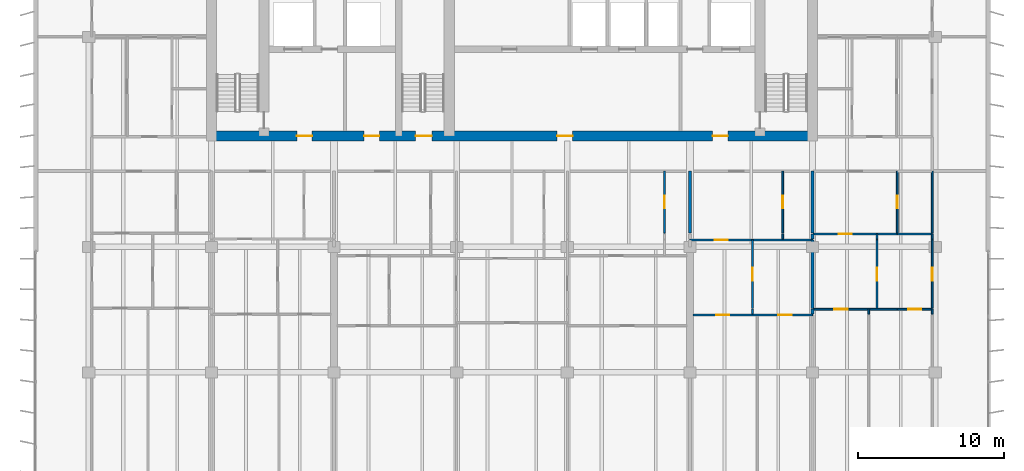
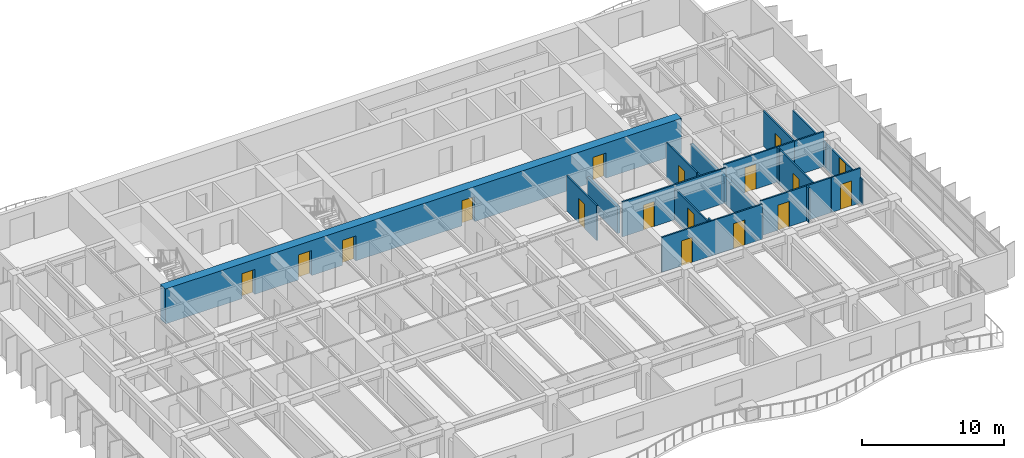
# One storey, part 11 of 18: 25 walls, 17 doors, 17 openings.
"""IFC4 building model written with IfcOpenShell, lengths in metres."""

from ifc_helpers import new_model, si_unit, direction, frame, frame_2d, origin, place, context, subcontext, project, spatial, rectangle, extrude, material, layer, layer_set, type_object, element, fill, save


model = new_model("IFC4")

# Units and contexts
model_context = context("Model", 3, precision=1e-05, world=origin(), true_north=direction((0.0, 1.0)))
body_context = subcontext(model_context, "Body", "Model", "MODEL_VIEW")
ifc_project = project(units=[si_unit("LENGTHUNIT", "METRE"), si_unit("AREAUNIT", "SQUARE_METRE"), si_unit("VOLUMEUNIT", "CUBIC_METRE"), si_unit("PLANEANGLEUNIT", "RADIAN"), si_unit("MASSUNIT", "GRAM", prefix="KILO")], contexts=[model_context])

# Site, building, storey
site_placement = place(None, origin())
site = spatial("IfcSite", under=ifc_project, at=site_placement, CompositionType="ELEMENT")
building_placement = place(site_placement, origin())
building = spatial("IfcBuilding", under=site, at=building_placement, Name="Caelmar Bay Residences", CompositionType="ELEMENT")
storey_placement = place(building_placement, frame((0.0, 0.0, 180.300048828125)))
storey = spatial("IfcBuildingStorey", under=building, at=storey_placement, Name="L50", CompositionType="ELEMENT", Elevation=180.300048828125)

# Wall, openings, doors
ifc_material_1 = material(Name="Concrete f'c 55 MPa (8,000 psi)", Category="concrete")
ifc_layer_1 = layer(ifc_material_1, 0.699951171875)
ifc_layer_set_1 = layer_set([ifc_layer_1], Name="Concrete f'c 55 MPa (8,000 psi)")
wall_type_1 = type_object("IfcWallType", Name="SW-COR-700", PredefinedType="SHEAR", material=ifc_layer_set_1)
wall_1_placement = place(storey_placement, frame((17.949951171875, 37.0, 0.0), z_axis=(0.0, 0.0, 1.0), x_axis=(1.0, 0.0, 0.0)))
wall_1 = element("IfcWall", 1, at=wall_1_placement, inside=storey, type_object=wall_type_1, Name="L50 Rear Core South Shear Wall", PredefinedType="SHEAR", context=body_context, shape_type="SweptSolid", body=[
    extrude(rectangle(XDim=41.900146484375, YDim=0.699951171875, at=frame_2d((20.9501953125, 0.0))), origin(), (0.0, 0.0, 1.0), 3.0),
])
opening_1_placement = place(wall_1_placement, frame((14.35009765625, 0.0, 0.0)))
opening_1 = element("IfcOpeningElement", 2, at=opening_1_placement, cuts=wall_1, Name="Opening D-L50-105", PredefinedType="OPENING", context=body_context, shape_type="SweptSolid", body=[
    extrude(rectangle(XDim=1.10009765625, YDim=2.14990234375, at=frame_2d((0.550048828125, 1.074951171875))), frame((0.0, 0.35986328125, 0.0), z_axis=(0.0, -1.0, 0.0), x_axis=(1.0, 0.0, 0.0)), (0.0, 0.0, 1.0), 0.719970703125),
])
opening_2_placement = place(wall_1_placement, frame((6.199951171875, 0.0, 0.0)))
opening_2 = element("IfcOpeningElement", 3, at=opening_2_placement, cuts=wall_1, Name="Opening D-L50-106", PredefinedType="OPENING", context=body_context, shape_type="SweptSolid", body=[
    extrude(rectangle(XDim=1.050048828125, YDim=2.14990234375, at=frame_2d((0.52490234375, 1.074951171875))), frame((0.0, 0.35986328125, 0.0), z_axis=(0.0, -1.0, 0.0), x_axis=(1.0, 0.0, 0.0)), (0.0, 0.0, 1.0), 0.719970703125),
])
opening_3_placement = place(wall_1_placement, frame((34.699951171875, 0.0, 0.0)))
opening_3 = element("IfcOpeningElement", 4, at=opening_3_placement, cuts=wall_1, Name="Opening D-L50-109", PredefinedType="OPENING", context=body_context, shape_type="SweptSolid", body=[
    extrude(rectangle(XDim=1.050048828125, YDim=2.14990234375, at=frame_2d((0.52490234375, 1.074951171875))), frame((0.0, 0.35986328125, 0.0), z_axis=(0.0, -1.0, 0.0), x_axis=(1.0, 0.0, 0.0)), (0.0, 0.0, 1.0), 0.719970703125),
])
opening_4_placement = place(wall_1_placement, frame((10.8125, 0.0, 0.0)))
opening_4 = element("IfcOpeningElement", 5, at=opening_4_placement, cuts=wall_1, Name="Opening D-L50-112", PredefinedType="OPENING", context=body_context, shape_type="SweptSolid", body=[
    extrude(rectangle(XDim=1.050048828125, YDim=2.14990234375, at=frame_2d((0.52490234375, 1.074951171875))), frame((0.0, 0.35986328125, 0.0), z_axis=(0.0, -1.0, 0.0), x_axis=(1.0, 0.0, 0.0)), (0.0, 0.0, 1.0), 0.719970703125),
])
opening_5_placement = place(wall_1_placement, frame((24.050048828125, 0.0, 0.0)))
opening_5 = element("IfcOpeningElement", 6, at=opening_5_placement, cuts=wall_1, Name="Opening D-L50-113", PredefinedType="OPENING", context=body_context, shape_type="SweptSolid", body=[
    extrude(rectangle(XDim=1.050048828125, YDim=2.14990234375, at=frame_2d((0.52490234375, 1.074951171875))), frame((0.0, 0.35986328125, 0.0), z_axis=(0.0, -1.0, 0.0), x_axis=(1.0, 0.0, 0.0)), (0.0, 0.0, 1.0), 0.719970703125),
])
ifc_material_2 = material(Name="Fire-rated steel and walnut architectural door assembly", Category="steel")
ifc_layer_2 = layer(ifc_material_2, 0.050048828125)
ifc_layer_set_2 = layer_set([ifc_layer_2], Name="Fire-rated steel and walnut architectural door assembly")
door_type_1 = type_object("IfcDoorType", Name="D-FSAE-1050", OperationType="NOTDEFINED", PredefinedType="DOOR", material=ifc_layer_set_2)
door_1_placement = place(opening_2_placement, origin())
door_1 = element("IfcDoor", 7, at=door_1_placement, inside=storey, type_object=door_type_1, Name="L50 Firefighting Lobby West Door", OperationType="SINGLE_SWING_LEFT", OverallHeight=2.14990234375, OverallWidth=1.050048828125, PredefinedType="DOOR", context=body_context, shape_type="SweptSolid", body=[
    extrude(rectangle(XDim=1.050048828125, YDim=2.14990234375, at=frame_2d((0.52490234375, 1.074951171875))), frame((0.0, 0.02490234375, 0.0), z_axis=(0.0, -1.0, 0.0), x_axis=(1.0, 0.0, 0.0)), (0.0, 0.0, 1.0), 0.050048828125),
])
fill(opening_2, door_1)
door_2_placement = place(opening_3_placement, origin())
door_2 = element("IfcDoor", 8, at=door_2_placement, inside=storey, type_object=door_type_1, Name="L50 Firefighting Lobby East Door", OperationType="SINGLE_SWING_RIGHT", OverallHeight=2.14990234375, OverallWidth=1.050048828125, PredefinedType="DOOR", context=body_context, shape_type="SweptSolid", body=[
    extrude(rectangle(XDim=1.050048828125, YDim=2.14990234375, at=frame_2d((0.52490234375, 1.074951171875))), frame((0.0, 0.02490234375, 0.0), z_axis=(0.0, -1.0, 0.0), x_axis=(1.0, 0.0, 0.0)), (0.0, 0.0, 1.0), 0.050048828125),
])
fill(opening_3, door_2)
door_3_placement = place(opening_4_placement, origin())
door_3 = element("IfcDoor", 9, at=door_3_placement, inside=storey, type_object=door_type_1, Name="L50 West Lift Lobby Door", OperationType="SINGLE_SWING_LEFT", OverallHeight=2.14990234375, OverallWidth=1.050048828125, PredefinedType="DOOR", context=body_context, shape_type="SweptSolid", body=[
    extrude(rectangle(XDim=1.050048828125, YDim=2.14990234375, at=frame_2d((0.52490234375, 1.074951171875))), frame((0.0, 0.02490234375, 0.0), z_axis=(0.0, -1.0, 0.0), x_axis=(1.0, 0.0, 0.0)), (0.0, 0.0, 1.0), 0.050048828125),
])
fill(opening_4, door_3)
door_4_placement = place(opening_5_placement, origin())
door_4 = element("IfcDoor", 10, at=door_4_placement, inside=storey, type_object=door_type_1, Name="L50 Passenger Lift Lobby Door", OperationType="SINGLE_SWING_RIGHT", OverallHeight=2.14990234375, OverallWidth=1.050048828125, PredefinedType="DOOR", context=body_context, shape_type="SweptSolid", body=[
    extrude(rectangle(XDim=1.050048828125, YDim=2.14990234375, at=frame_2d((0.52490234375, 1.074951171875))), frame((0.0, 0.02490234375, 0.0), z_axis=(0.0, -1.0, 0.0), x_axis=(1.0, 0.0, 0.0)), (0.0, 0.0, 1.0), 0.050048828125),
])
fill(opening_5, door_4)
ifc_layer_3 = layer(ifc_material_2, 0.050048828125)
ifc_layer_set_3 = layer_set([ifc_layer_3], Name="Fire-rated steel and walnut architectural door assembly")
door_type_2 = type_object("IfcDoorType", Name="D-STAIR-1100", OperationType="NOTDEFINED", PredefinedType="DOOR", material=ifc_layer_set_3)
door_5_placement = place(opening_1_placement, origin())
door_5 = element("IfcDoor", 11, at=door_5_placement, inside=storey, type_object=door_type_2, Name="L50 Exit Stair ST3 Door", OperationType="SINGLE_SWING_RIGHT", OverallHeight=2.14990234375, OverallWidth=1.10009765625, PredefinedType="DOOR", context=body_context, shape_type="SweptSolid", body=[
    extrude(rectangle(XDim=1.10009765625, YDim=2.14990234375, at=frame_2d((0.550048828125, 1.074951171875))), frame((0.0, 0.02490234375, 0.0), z_axis=(0.0, -1.0, 0.0), x_axis=(1.0, 0.0, 0.0)), (0.0, 0.0, 1.0), 0.050048828125),
])
fill(opening_1, door_5)

# Wall, opening, door
ifc_material_3 = material(Name="Acoustic metal-stud gypsum partition 120 mm")
ifc_layer_4 = layer(ifc_material_3, 0.1201171875)
ifc_layer_set_4 = layer_set([ifc_layer_4], Name="Acoustic metal-stud gypsum partition 120 mm")
wall_type_2 = type_object("IfcWallType", Name="W-PRT-120", PredefinedType="PARTITIONING", material=ifc_layer_set_4)
wall_2_placement = place(storey_placement, frame((49.35888671875, 30.340087890625, 0.0), z_axis=(0.0, 0.0, 1.0), x_axis=(0.0, 1.0, 0.0)))
wall_2 = element("IfcWall", 12, at=wall_2_placement, inside=storey, type_object=wall_type_2, Name="L50 Partition Wall V067", PredefinedType="PARTITIONING", context=body_context, shape_type="SweptSolid", body=[
    extrude(rectangle(XDim=4.260009765625, YDim=0.1201171875, at=frame_2d((2.1298828125, 0.0))), origin(), (0.0, 0.0, 1.0), 3.0),
])
opening_6_placement = place(wall_2_placement, frame((1.705078125, 0.0, 0.0)))
opening_6 = element("IfcOpeningElement", 13, at=opening_6_placement, cuts=wall_2, Name="Opening D-L50-147", PredefinedType="OPENING", context=body_context, shape_type="SweptSolid", body=[
    extrude(rectangle(XDim=0.85009765625, YDim=2.10009765625, at=frame_2d((0.425048828125, 1.050048828125))), frame((0.0, 0.070068359375, 0.0), z_axis=(0.0, -1.0, 0.0), x_axis=(1.0, 0.0, 0.0)), (0.0, 0.0, 1.0), 0.14013671875),
])
ifc_material_4 = material(Name="Solid walnut timber interior door leaf and frame", Category="wood")
ifc_layer_5 = layer(ifc_material_4, 0.050048828125)
ifc_layer_set_5 = layer_set([ifc_layer_5], Name="Solid walnut timber interior door leaf and frame")
door_type_3 = type_object("IfcDoorType", Name="D-BATH-850", OperationType="NOTDEFINED", PredefinedType="DOOR", material=ifc_layer_set_5)
door_6_placement = place(opening_6_placement, origin())
door_6 = element("IfcDoor", 14, at=door_6_placement, inside=storey, type_object=door_type_3, Name="L50 Residence 03 En-Suite Bathroom 2 Door", OperationType="SINGLE_SWING_RIGHT", OverallHeight=2.10009765625, OverallWidth=0.85009765625, PredefinedType="DOOR", context=body_context, shape_type="SweptSolid", body=[
    extrude(rectangle(XDim=0.85009765625, YDim=2.10009765625, at=frame_2d((0.425048828125, 1.050048828125))), frame((0.0, 0.02490234375, 0.0), z_axis=(0.0, -1.0, 0.0), x_axis=(1.0, 0.0, 0.0)), (0.0, 0.0, 1.0), 0.050048828125),
])
fill(opening_6, door_6)

# Wall
wall_3_placement = place(storey_placement, frame((55.385986328125, 24.7900390625, 0.0), z_axis=(0.0, 0.0, 1.0), x_axis=(0.0, 1.0, 0.0)))
element("IfcWall", 15, at=wall_3_placement, inside=storey, type_object=wall_type_2, Name="L50 Partition Wall V077", PredefinedType="PARTITIONING", context=body_context, shape_type="SweptSolid", body=[
    extrude(rectangle(XDim=0.33984375, YDim=0.1201171875, at=frame_2d((0.169921875, 0.0))), origin(), (0.0, 0.0, 1.0), 3.0),
])

# Wall, opening, door
wall_4_placement = place(storey_placement, frame((55.385986328125, 25.18994140625, 0.0), z_axis=(0.0, 0.0, 1.0), x_axis=(0.0, 1.0, 0.0)))
wall_4 = element("IfcWall", 16, at=wall_4_placement, inside=storey, type_object=wall_type_2, Name="L50 Partition Wall V078", PredefinedType="PARTITIONING", context=body_context, shape_type="SweptSolid", body=[
    extrude(rectangle(XDim=4.68994140625, YDim=0.1201171875, at=frame_2d((2.344970703125, 0.0))), origin(), (0.0, 0.0, 1.0), 2.675048828125),
])
opening_7_placement = place(wall_4_placement, frame((1.89501953125, 0.0, 0.0)))
opening_7 = element("IfcOpeningElement", 17, at=opening_7_placement, cuts=wall_4, Name="Opening D-L50-153", PredefinedType="OPENING", context=body_context, shape_type="SweptSolid", body=[
    extrude(rectangle(XDim=0.89990234375, YDim=2.14990234375, at=frame_2d((0.449951171875, 1.074951171875))), frame((0.0, 0.070068359375, 0.0), z_axis=(0.0, -1.0, 0.0), x_axis=(1.0, 0.0, 0.0)), (0.0, 0.0, 1.0), 0.14013671875),
])
ifc_layer_6 = layer(ifc_material_4, 0.050048828125)
ifc_layer_set_6 = layer_set([ifc_layer_6], Name="Solid walnut timber interior door leaf and frame")
door_type_4 = type_object("IfcDoorType", Name="D-ROOM-900", OperationType="NOTDEFINED", PredefinedType="DOOR", material=ifc_layer_set_6)
door_7_placement = place(opening_7_placement, origin())
door_7 = element("IfcDoor", 18, at=door_7_placement, inside=storey, type_object=door_type_4, Name="L50 Residence 04 Formal Dining Room Door", OperationType="SINGLE_SWING_RIGHT", OverallHeight=2.14990234375, OverallWidth=0.89990234375, PredefinedType="DOOR", context=body_context, shape_type="SweptSolid", body=[
    extrude(rectangle(XDim=0.89990234375, YDim=2.14990234375, at=frame_2d((0.449951171875, 1.074951171875))), frame((0.0, 0.02490234375, 0.0), z_axis=(0.0, -1.0, 0.0), x_axis=(1.0, 0.0, 0.0)), (0.0, 0.0, 1.0), 0.050048828125),
])
fill(opening_7, door_7)

# Wall
wall_5_placement = place(storey_placement, frame((57.466064453125, 29.93994140625, 0.0), z_axis=(0.0, 0.0, 1.0), x_axis=(0.0, 1.0, 0.0)))
element("IfcWall", 19, at=wall_5_placement, inside=storey, type_object=wall_type_2, Name="L50 Partition Wall V082", PredefinedType="PARTITIONING", context=body_context, shape_type="SweptSolid", body=[
    extrude(rectangle(XDim=0.340087890625, YDim=0.1201171875, at=frame_2d((0.169921875, 0.0))), origin(), (0.0, 0.0, 1.0), 3.0),
])

# Wall, opening, door
wall_6_placement = place(storey_placement, frame((57.466064453125, 30.340087890625, 0.0), z_axis=(0.0, 0.0, 1.0), x_axis=(0.0, 1.0, 0.0)))
wall_6 = element("IfcWall", 20, at=wall_6_placement, inside=storey, type_object=wall_type_2, Name="L50 Partition Wall V083", PredefinedType="PARTITIONING", context=body_context, shape_type="SweptSolid", body=[
    extrude(rectangle(XDim=4.260009765625, YDim=0.1201171875, at=frame_2d((2.1298828125, 0.0))), origin(), (0.0, 0.0, 1.0), 3.0),
])
opening_8_placement = place(wall_6_placement, frame((1.705078125, 0.0, 0.0)))
opening_8 = element("IfcOpeningElement", 21, at=opening_8_placement, cuts=wall_6, Name="Opening D-L50-151", PredefinedType="OPENING", context=body_context, shape_type="SweptSolid", body=[
    extrude(rectangle(XDim=0.85009765625, YDim=2.10009765625, at=frame_2d((0.425048828125, 1.050048828125))), frame((0.0, 0.070068359375, 0.0), z_axis=(0.0, -1.0, 0.0), x_axis=(1.0, 0.0, 0.0)), (0.0, 0.0, 1.0), 0.14013671875),
])
door_8_placement = place(opening_8_placement, origin())
door_8 = element("IfcDoor", 22, at=door_8_placement, inside=storey, type_object=door_type_3, Name="L50 Residence 04 Bathroom Door", OperationType="SINGLE_SWING_RIGHT", OverallHeight=2.10009765625, OverallWidth=0.85009765625, PredefinedType="DOOR", context=body_context, shape_type="SweptSolid", body=[
    extrude(rectangle(XDim=0.85009765625, YDim=2.10009765625, at=frame_2d((0.425048828125, 1.050048828125))), frame((0.0, 0.02490234375, 0.0), z_axis=(0.0, -1.0, 0.0), x_axis=(1.0, 0.0, 0.0)), (0.0, 0.0, 1.0), 0.050048828125),
])
fill(opening_8, door_8)

# Wall
wall_7_placement = place(storey_placement, frame((63.35400390625, 24.7900390625, 0.0), z_axis=(0.0, 0.0, 1.0), x_axis=(0.0, 1.0, 0.0)))
element("IfcWall", 23, at=wall_7_placement, inside=storey, type_object=wall_type_2, Name="L50 Partition Wall V093", PredefinedType="PARTITIONING", context=body_context, shape_type="SweptSolid", body=[
    extrude(rectangle(XDim=0.33984375, YDim=0.1201171875, at=frame_2d((0.169921875, 0.0))), origin(), (0.0, 0.0, 1.0), 3.0),
])

# Wall, opening, door
wall_8_placement = place(storey_placement, frame((63.927978515625, 25.18994140625, 0.0), z_axis=(0.0, 0.0, 1.0), x_axis=(0.0, 1.0, 0.0)))
wall_8 = element("IfcWall", 24, at=wall_8_placement, inside=storey, type_object=wall_type_2, Name="L50 Partition Wall V094", PredefinedType="PARTITIONING", context=body_context, shape_type="SweptSolid", body=[
    extrude(rectangle(XDim=4.68994140625, YDim=0.1201171875, at=frame_2d((2.344970703125, 0.0))), origin(), (0.0, 0.0, 1.0), 3.0),
])
opening_9_placement = place(wall_8_placement, frame((1.89501953125, 0.0, 0.0)))
opening_9 = element("IfcOpeningElement", 25, at=opening_9_placement, cuts=wall_8, Name="Opening D-L50-160", PredefinedType="OPENING", context=body_context, shape_type="SweptSolid", body=[
    extrude(rectangle(XDim=0.89990234375, YDim=2.14990234375, at=frame_2d((0.449951171875, 1.074951171875))), frame((0.0, 0.070068359375, 0.0), z_axis=(0.0, -1.0, 0.0), x_axis=(1.0, 0.0, 0.0)), (0.0, 0.0, 1.0), 0.14013671875),
])
door_9_placement = place(opening_9_placement, origin())
door_9 = element("IfcDoor", 26, at=door_9_placement, inside=storey, type_object=door_type_4, Name="L50 Residence 05 Formal Dining Room Door", OperationType="SINGLE_SWING_LEFT", OverallHeight=2.14990234375, OverallWidth=0.89990234375, PredefinedType="DOOR", context=body_context, shape_type="SweptSolid", body=[
    extrude(rectangle(XDim=0.89990234375, YDim=2.14990234375, at=frame_2d((0.449951171875, 1.074951171875))), frame((0.0, 0.02490234375, 0.0), z_axis=(0.0, -1.0, 0.0), x_axis=(1.0, 0.0, 0.0)), (0.0, 0.0, 1.0), 0.050048828125),
])
fill(opening_9, door_9)

# Wall
wall_9_placement = place(storey_placement, frame((63.927978515625, 29.93994140625, 0.0), z_axis=(0.0, 0.0, 1.0), x_axis=(0.0, 1.0, 0.0)))
element("IfcWall", 27, at=wall_9_placement, inside=storey, type_object=wall_type_2, Name="L50 Partition Wall V095", PredefinedType="PARTITIONING", context=body_context, shape_type="SweptSolid", body=[
    extrude(rectangle(XDim=0.340087890625, YDim=0.1201171875, at=frame_2d((0.169921875, 0.0))), origin(), (0.0, 0.0, 1.0), 3.0),
])

# Wall, opening, door
wall_10_placement = place(storey_placement, frame((65.31591796875, 30.340087890625, 0.0), z_axis=(0.0, 0.0, 1.0), x_axis=(0.0, 1.0, 0.0)))
wall_10 = element("IfcWall", 28, at=wall_10_placement, inside=storey, type_object=wall_type_2, Name="L50 Partition Wall V097", PredefinedType="PARTITIONING", context=body_context, shape_type="SweptSolid", body=[
    extrude(rectangle(XDim=4.260009765625, YDim=0.1201171875, at=frame_2d((2.1298828125, 0.0))), origin(), (0.0, 0.0, 1.0), 3.0),
])
opening_10_placement = place(wall_10_placement, frame((1.705078125, 0.0, 0.0)))
opening_10 = element("IfcOpeningElement", 29, at=opening_10_placement, cuts=wall_10, Name="Opening D-L50-158", PredefinedType="OPENING", context=body_context, shape_type="SweptSolid", body=[
    extrude(rectangle(XDim=0.85009765625, YDim=2.10009765625, at=frame_2d((0.425048828125, 1.050048828125))), frame((0.0, 0.070068359375, 0.0), z_axis=(0.0, -1.0, 0.0), x_axis=(1.0, 0.0, 0.0)), (0.0, 0.0, 1.0), 0.14013671875),
])
door_10_placement = place(opening_10_placement, origin())
door_10 = element("IfcDoor", 30, at=door_10_placement, inside=storey, type_object=door_type_3, Name="L50 Residence 05 Bathroom Door", OperationType="SINGLE_SWING_LEFT", OverallHeight=2.10009765625, OverallWidth=0.85009765625, PredefinedType="DOOR", context=body_context, shape_type="SweptSolid", body=[
    extrude(rectangle(XDim=0.85009765625, YDim=2.10009765625, at=frame_2d((0.425048828125, 1.050048828125))), frame((0.0, 0.02490234375, 0.0), z_axis=(0.0, -1.0, 0.0), x_axis=(1.0, 0.0, 0.0)), (0.0, 0.0, 1.0), 0.050048828125),
])
fill(opening_10, door_10)

# Wall
wall_11_placement = place(storey_placement, frame((67.699951171875, 24.7900390625, 0.0), z_axis=(0.0, 0.0, 1.0), x_axis=(0.0, 1.0, 0.0)))
element("IfcWall", 31, at=wall_11_placement, inside=storey, type_object=wall_type_2, Name="L50 Partition Wall V099", PredefinedType="PARTITIONING", context=body_context, shape_type="SweptSolid", body=[
    extrude(rectangle(XDim=0.33984375, YDim=0.1201171875, at=frame_2d((0.169921875, 0.0))), origin(), (0.0, 0.0, 1.0), 2.212890625),
])

# Wall, opening, door
wall_12_placement = place(storey_placement, frame((67.699951171875, 25.18994140625, 0.0), z_axis=(0.0, 0.0, 1.0), x_axis=(0.0, 1.0, 0.0)))
wall_12 = element("IfcWall", 32, at=wall_12_placement, inside=storey, type_object=wall_type_2, Name="L50 Partition Wall V100", PredefinedType="PARTITIONING", context=body_context, shape_type="SweptSolid", body=[
    extrude(rectangle(XDim=4.68994140625, YDim=0.1201171875, at=frame_2d((2.344970703125, 0.0))), origin(), (0.0, 0.0, 1.0), 2.212890625),
])
opening_11_placement = place(wall_12_placement, frame((1.89501953125, 0.0, 0.0)))
opening_11 = element("IfcOpeningElement", 33, at=opening_11_placement, cuts=wall_12, Name="Opening D-L50-165", PredefinedType="OPENING", context=body_context, shape_type="SweptSolid", body=[
    extrude(rectangle(XDim=0.89990234375, YDim=2.14990234375, at=frame_2d((0.449951171875, 1.074951171875))), frame((0.0, 0.070068359375, 0.0), z_axis=(0.0, -1.0, 0.0), x_axis=(1.0, 0.0, 0.0)), (0.0, 0.0, 1.0), 0.14013671875),
])
door_11_placement = place(opening_11_placement, origin())
door_11 = element("IfcDoor", 34, at=door_11_placement, inside=storey, type_object=door_type_4, Name="L50 Residence 05 Penthouse East Salon Door", OperationType="SINGLE_SWING_RIGHT", OverallHeight=2.14990234375, OverallWidth=0.89990234375, PredefinedType="DOOR", context=body_context, shape_type="SweptSolid", body=[
    extrude(rectangle(XDim=0.89990234375, YDim=2.14990234375, at=frame_2d((0.449951171875, 1.074951171875))), frame((0.0, 0.02490234375, 0.0), z_axis=(0.0, -1.0, 0.0), x_axis=(1.0, 0.0, 0.0)), (0.0, 0.0, 1.0), 0.050048828125),
])
fill(opening_11, door_11)

# Walls
wall_13_placement = place(storey_placement, frame((67.699951171875, 29.93994140625, 0.0), z_axis=(0.0, 0.0, 1.0), x_axis=(0.0, 1.0, 0.0)))
element("IfcWall", 35, at=wall_13_placement, inside=storey, type_object=wall_type_2, Name="L50 Partition Wall V101", PredefinedType="PARTITIONING", context=body_context, shape_type="SweptSolid", body=[
    extrude(rectangle(XDim=0.340087890625, YDim=0.1201171875, at=frame_2d((0.169921875, 0.0))), origin(), (0.0, 0.0, 1.0), 2.212890625),
])
wall_14_placement = place(storey_placement, frame((67.699951171875, 30.340087890625, 0.0), z_axis=(0.0, 0.0, 1.0), x_axis=(0.0, 1.0, 0.0)))
element("IfcWall", 36, at=wall_14_placement, inside=storey, type_object=wall_type_2, Name="L50 Partition Wall V102", PredefinedType="PARTITIONING", context=body_context, shape_type="SweptSolid", body=[
    extrude(rectangle(XDim=4.260009765625, YDim=0.1201171875, at=frame_2d((2.1298828125, 0.0))), origin(), (0.0, 0.0, 1.0), 2.212890625),
])

# Wall, openings, doors
wall_15_placement = place(storey_placement, frame((51.320068359375, 24.72998046875, 0.0), z_axis=(0.0, 0.0, 1.0), x_axis=(1.0, 0.0, 0.0)))
wall_15 = element("IfcWall", 37, at=wall_15_placement, inside=storey, type_object=wall_type_2, Name="L50 Partition Wall H115", PredefinedType="PARTITIONING", context=body_context, shape_type="SweptSolid", body=[
    extrude(rectangle(XDim=8.179931640625, YDim=0.1201171875, at=frame_2d((4.08984375, 0.0))), origin(), (0.0, 0.0, 1.0), 3.0),
])
opening_12_placement = place(wall_15_placement, frame((1.5830078125, 0.0, 0.0)))
opening_12 = element("IfcOpeningElement", 38, at=opening_12_placement, cuts=wall_15, Name="Opening D-L50-154", PredefinedType="OPENING", context=body_context, shape_type="SweptSolid", body=[
    extrude(rectangle(XDim=0.89990234375, YDim=2.14990234375, at=frame_2d((0.449951171875, 1.074951171875))), frame((0.0, 0.070068359375, 0.0), z_axis=(0.0, -1.0, 0.0), x_axis=(1.0, 0.0, 0.0)), (0.0, 0.0, 1.0), 0.14013671875),
])
opening_13_placement = place(wall_15_placement, frame((5.840087890625, 0.0, 0.0)))
opening_13 = element("IfcOpeningElement", 39, at=opening_13_placement, cuts=wall_15, Name="Opening D-L50-155", PredefinedType="OPENING", context=body_context, shape_type="SweptSolid", body=[
    extrude(rectangle(XDim=0.89990234375, YDim=2.14990234375, at=frame_2d((0.449951171875, 1.074951171875))), frame((0.0, 0.070068359375, 0.0), z_axis=(0.0, -1.0, 0.0), x_axis=(1.0, 0.0, 0.0)), (0.0, 0.0, 1.0), 0.14013671875),
])
door_12_placement = place(opening_12_placement, origin())
door_12 = element("IfcDoor", 40, at=door_12_placement, inside=storey, type_object=door_type_4, Name="L50 Residence 04 Penthouse Living Salon Door", OperationType="SINGLE_SWING_LEFT", OverallHeight=2.14990234375, OverallWidth=0.89990234375, PredefinedType="DOOR", context=body_context, shape_type="SweptSolid", body=[
    extrude(rectangle(XDim=0.89990234375, YDim=2.14990234375, at=frame_2d((0.449951171875, 1.074951171875))), frame((0.0, 0.02490234375, 0.0), z_axis=(0.0, -1.0, 0.0), x_axis=(1.0, 0.0, 0.0)), (0.0, 0.0, 1.0), 0.050048828125),
])
fill(opening_12, door_12)
door_13_placement = place(opening_13_placement, origin())
door_13 = element("IfcDoor", 41, at=door_13_placement, inside=storey, type_object=door_type_4, Name="L50 Residence 04 Penthouse Sitting Room Door", OperationType="SINGLE_SWING_RIGHT", OverallHeight=2.14990234375, OverallWidth=0.89990234375, PredefinedType="DOOR", context=body_context, shape_type="SweptSolid", body=[
    extrude(rectangle(XDim=0.89990234375, YDim=2.14990234375, at=frame_2d((0.449951171875, 1.074951171875))), frame((0.0, 0.02490234375, 0.0), z_axis=(0.0, -1.0, 0.0), x_axis=(1.0, 0.0, 0.0)), (0.0, 0.0, 1.0), 0.050048828125),
])
fill(opening_13, door_13)

# Wall, opening, door
wall_16_placement = place(storey_placement, frame((59.550048828125, 25.1298828125, 0.0), z_axis=(0.0, 0.0, 1.0), x_axis=(1.0, 0.0, 0.0)))
wall_16 = element("IfcWall", 42, at=wall_16_placement, inside=storey, type_object=wall_type_2, Name="L50 Partition Wall H117", PredefinedType="PARTITIONING", context=body_context, shape_type="SweptSolid", body=[
    extrude(rectangle(XDim=5.72998046875, YDim=0.1201171875, at=frame_2d((2.864990234375, 0.0))), origin(), (0.0, 0.0, 1.0), 3.0),
])
opening_14_placement = place(wall_16_placement, frame((1.451904296875, 0.0, 0.0)))
opening_14 = element("IfcOpeningElement", 43, at=opening_14_placement, cuts=wall_16, Name="Opening D-L50-161", PredefinedType="OPENING", context=body_context, shape_type="SweptSolid", body=[
    extrude(rectangle(XDim=0.89990234375, YDim=2.14990234375, at=frame_2d((0.449951171875, 1.074951171875))), frame((0.0, 0.070068359375, 0.0), z_axis=(0.0, -1.0, 0.0), x_axis=(1.0, 0.0, 0.0)), (0.0, 0.0, 1.0), 0.14013671875),
])
door_14_placement = place(opening_14_placement, origin())
door_14 = element("IfcDoor", 44, at=door_14_placement, inside=storey, type_object=door_type_4, Name="L50 Residence 05 Living Room Door", OperationType="SINGLE_SWING_RIGHT", OverallHeight=2.14990234375, OverallWidth=0.89990234375, PredefinedType="DOOR", context=body_context, shape_type="SweptSolid", body=[
    extrude(rectangle(XDim=0.89990234375, YDim=2.14990234375, at=frame_2d((0.449951171875, 1.074951171875))), frame((0.0, 0.02490234375, 0.0), z_axis=(0.0, -1.0, 0.0), x_axis=(1.0, 0.0, 0.0)), (0.0, 0.0, 1.0), 0.050048828125),
])
fill(opening_14, door_14)

wall_17_placement = place(storey_placement, frame((65.31591796875, 25.1298828125, 0.0), z_axis=(0.0, 0.0, 1.0), x_axis=(1.0, 0.0, 0.0)))
wall_17 = element("IfcWall", 45, at=wall_17_placement, inside=storey, type_object=wall_type_2, Name="L50 Partition Wall H118", PredefinedType="PARTITIONING", context=body_context, shape_type="SweptSolid", body=[
    extrude(rectangle(XDim=2.384033203125, YDim=0.1201171875, at=frame_2d((1.19189453125, 0.0))), origin(), (0.0, 0.0, 1.0), 3.0),
])
opening_15_placement = place(wall_17_placement, frame((0.741943359375, 0.0, 0.0)))
opening_15 = element("IfcOpeningElement", 46, at=opening_15_placement, cuts=wall_17, Name="Opening D-L50-162", PredefinedType="OPENING", context=body_context, shape_type="SweptSolid", body=[
    extrude(rectangle(XDim=0.89990234375, YDim=2.14990234375, at=frame_2d((0.449951171875, 1.074951171875))), frame((0.0, 0.070068359375, 0.0), z_axis=(0.0, -1.0, 0.0), x_axis=(1.0, 0.0, 0.0)), (0.0, 0.0, 1.0), 0.14013671875),
])
door_15_placement = place(opening_15_placement, origin())
door_15 = element("IfcDoor", 47, at=door_15_placement, inside=storey, type_object=door_type_4, Name="L50 Residence 05 Penthouse Sitting Room Door", OperationType="SINGLE_SWING_LEFT", OverallHeight=2.14990234375, OverallWidth=0.89990234375, PredefinedType="DOOR", context=body_context, shape_type="SweptSolid", body=[
    extrude(rectangle(XDim=0.89990234375, YDim=2.14990234375, at=frame_2d((0.449951171875, 1.074951171875))), frame((0.0, 0.02490234375, 0.0), z_axis=(0.0, -1.0, 0.0), x_axis=(1.0, 0.0, 0.0)), (0.0, 0.0, 1.0), 0.050048828125),
])
fill(opening_15, door_15)

wall_18_placement = place(storey_placement, frame((51.10009765625, 29.8798828125, 0.0), z_axis=(0.0, 0.0, 1.0), x_axis=(1.0, 0.0, 0.0)))
wall_18 = element("IfcWall", 48, at=wall_18_placement, inside=storey, type_object=wall_type_2, Name="L50 Partition Wall H123", PredefinedType="PARTITIONING", context=body_context, shape_type="SweptSolid", body=[
    extrude(rectangle(XDim=8.39990234375, YDim=0.1201171875, at=frame_2d((4.199951171875, 0.0))), origin(), (0.0, 0.0, 1.0), 3.0),
])
opening_16_placement = place(wall_18_placement, frame((1.693115234375, 0.0, 0.0)))
opening_16 = element("IfcOpeningElement", 49, at=opening_16_placement, cuts=wall_18, Name="Opening D-L50-152", PredefinedType="OPENING", context=body_context, shape_type="SweptSolid", body=[
    extrude(rectangle(XDim=0.89990234375, YDim=2.14990234375, at=frame_2d((0.449951171875, 1.074951171875))), frame((0.0, 0.070068359375, 0.0), z_axis=(0.0, -1.0, 0.0), x_axis=(1.0, 0.0, 0.0)), (0.0, 0.0, 1.0), 0.14013671875),
])
door_16_placement = place(opening_16_placement, origin())
door_16 = element("IfcDoor", 50, at=door_16_placement, inside=storey, type_object=door_type_4, Name="L50 Residence 04 Kitchen Door", OperationType="SINGLE_SWING_LEFT", OverallHeight=2.14990234375, OverallWidth=0.89990234375, PredefinedType="DOOR", context=body_context, shape_type="SweptSolid", body=[
    extrude(rectangle(XDim=0.89990234375, YDim=2.14990234375, at=frame_2d((0.449951171875, 1.074951171875))), frame((0.0, 0.02490234375, 0.0), z_axis=(0.0, -1.0, 0.0), x_axis=(1.0, 0.0, 0.0)), (0.0, 0.0, 1.0), 0.050048828125),
])
fill(opening_16, door_16)

wall_19_placement = place(storey_placement, frame((59.550048828125, 30.280029296875, 0.0), z_axis=(0.0, 0.0, 1.0), x_axis=(1.0, 0.0, 0.0)))
wall_19 = element("IfcWall", 51, at=wall_19_placement, inside=storey, type_object=wall_type_2, Name="L50 Partition Wall H125", PredefinedType="PARTITIONING", context=body_context, shape_type="SweptSolid", body=[
    extrude(rectangle(XDim=5.72998046875, YDim=0.1201171875, at=frame_2d((2.864990234375, 0.0))), origin(), (0.0, 0.0, 1.0), 3.0),
])
opening_17_placement = place(wall_19_placement, frame((1.739013671875, 0.0, 0.0)))
opening_17 = element("IfcOpeningElement", 52, at=opening_17_placement, cuts=wall_19, Name="Opening D-L50-159", PredefinedType="OPENING", context=body_context, shape_type="SweptSolid", body=[
    extrude(rectangle(XDim=0.89990234375, YDim=2.14990234375, at=frame_2d((0.449951171875, 1.074951171875))), frame((0.0, 0.070068359375, 0.0), z_axis=(0.0, -1.0, 0.0), x_axis=(1.0, 0.0, 0.0)), (0.0, 0.0, 1.0), 0.14013671875),
])
door_17_placement = place(opening_17_placement, origin())
door_17 = element("IfcDoor", 53, at=door_17_placement, inside=storey, type_object=door_type_4, Name="L50 Residence 05 Kitchen Door", OperationType="SINGLE_SWING_RIGHT", OverallHeight=2.14990234375, OverallWidth=0.89990234375, PredefinedType="DOOR", context=body_context, shape_type="SweptSolid", body=[
    extrude(rectangle(XDim=0.89990234375, YDim=2.14990234375, at=frame_2d((0.449951171875, 1.074951171875))), frame((0.0, 0.02490234375, 0.0), z_axis=(0.0, -1.0, 0.0), x_axis=(1.0, 0.0, 0.0)), (0.0, 0.0, 1.0), 0.050048828125),
])
fill(opening_17, door_17)

# Walls
wall_20_placement = place(storey_placement, frame((65.31591796875, 30.280029296875, 0.0), z_axis=(0.0, 0.0, 1.0), x_axis=(1.0, 0.0, 0.0)))
element("IfcWall", 54, at=wall_20_placement, inside=storey, type_object=wall_type_2, Name="L50 Partition Wall H126", PredefinedType="PARTITIONING", context=body_context, shape_type="SweptSolid", body=[
    extrude(rectangle(XDim=2.384033203125, YDim=0.1201171875, at=frame_2d((1.19189453125, 0.0))), origin(), (0.0, 0.0, 1.0), 3.0),
])
ifc_material_5 = material(Name="Acoustic twin-stud fire-rated inter-tenancy partition 200 mm")
ifc_layer_7 = layer(ifc_material_5, 0.199951171875)
ifc_layer_set_7 = layer_set([ifc_layer_7], Name="Acoustic twin-stud fire-rated inter-tenancy partition 200 mm")
wall_type_3 = type_object("IfcWallType", Name="W-PTY-200", PredefinedType="PARTITIONING", material=ifc_layer_set_7)
wall_21_placement = place(storey_placement, frame((51.10009765625, 30.340087890625, 0.0), z_axis=(0.0, 0.0, 1.0), x_axis=(0.0, 1.0, 0.0)))
element("IfcWall", 55, at=wall_21_placement, inside=storey, type_object=wall_type_3, Name="L50 Partition Wall V075", PredefinedType="PARTITIONING", context=body_context, shape_type="SweptSolid", body=[
    extrude(rectangle(XDim=4.260009765625, YDim=0.199951171875, at=frame_2d((2.1298828125, 0.0))), origin(), (0.0, 0.0, 1.0), 2.284912109375),
])
wall_22_placement = place(storey_placement, frame((59.5, 24.7900390625, 0.0), z_axis=(0.0, 0.0, 1.0), x_axis=(0.0, 1.0, 0.0)))
element("IfcWall", 56, at=wall_22_placement, inside=storey, type_object=wall_type_3, Name="L50 Partition Wall V086", PredefinedType="PARTITIONING", context=body_context, shape_type="SweptSolid", body=[
    extrude(rectangle(XDim=0.33984375, YDim=0.199951171875, at=frame_2d((0.169921875, 0.0))), origin(), (0.0, 0.0, 1.0), 2.212890625),
])
wall_23_placement = place(storey_placement, frame((59.5, 25.18994140625, 0.0), z_axis=(0.0, 0.0, 1.0), x_axis=(0.0, 1.0, 0.0)))
element("IfcWall", 57, at=wall_23_placement, inside=storey, type_object=wall_type_3, Name="L50 Partition Wall V087", PredefinedType="PARTITIONING", context=body_context, shape_type="SweptSolid", body=[
    extrude(rectangle(XDim=4.68994140625, YDim=0.199951171875, at=frame_2d((2.344970703125, 0.0))), origin(), (0.0, 0.0, 1.0), 2.212890625),
])
wall_24_placement = place(storey_placement, frame((59.5, 29.93994140625, 0.0), z_axis=(0.0, 0.0, 1.0), x_axis=(0.0, 1.0, 0.0)))
element("IfcWall", 58, at=wall_24_placement, inside=storey, type_object=wall_type_3, Name="L50 Partition Wall V088", PredefinedType="PARTITIONING", context=body_context, shape_type="SweptSolid", body=[
    extrude(rectangle(XDim=0.340087890625, YDim=0.199951171875, at=frame_2d((0.169921875, 0.0))), origin(), (0.0, 0.0, 1.0), 2.212890625),
])
wall_25_placement = place(storey_placement, frame((59.5, 30.340087890625, 0.0), z_axis=(0.0, 0.0, 1.0), x_axis=(0.0, 1.0, 0.0)))
element("IfcWall", 59, at=wall_25_placement, inside=storey, type_object=wall_type_3, Name="L50 Partition Wall V089", PredefinedType="PARTITIONING", context=body_context, shape_type="SweptSolid", body=[
    extrude(rectangle(XDim=4.260009765625, YDim=0.199951171875, at=frame_2d((2.1298828125, 0.0))), origin(), (0.0, 0.0, 1.0), 2.212890625),
])

save(model, "model.ifc")
